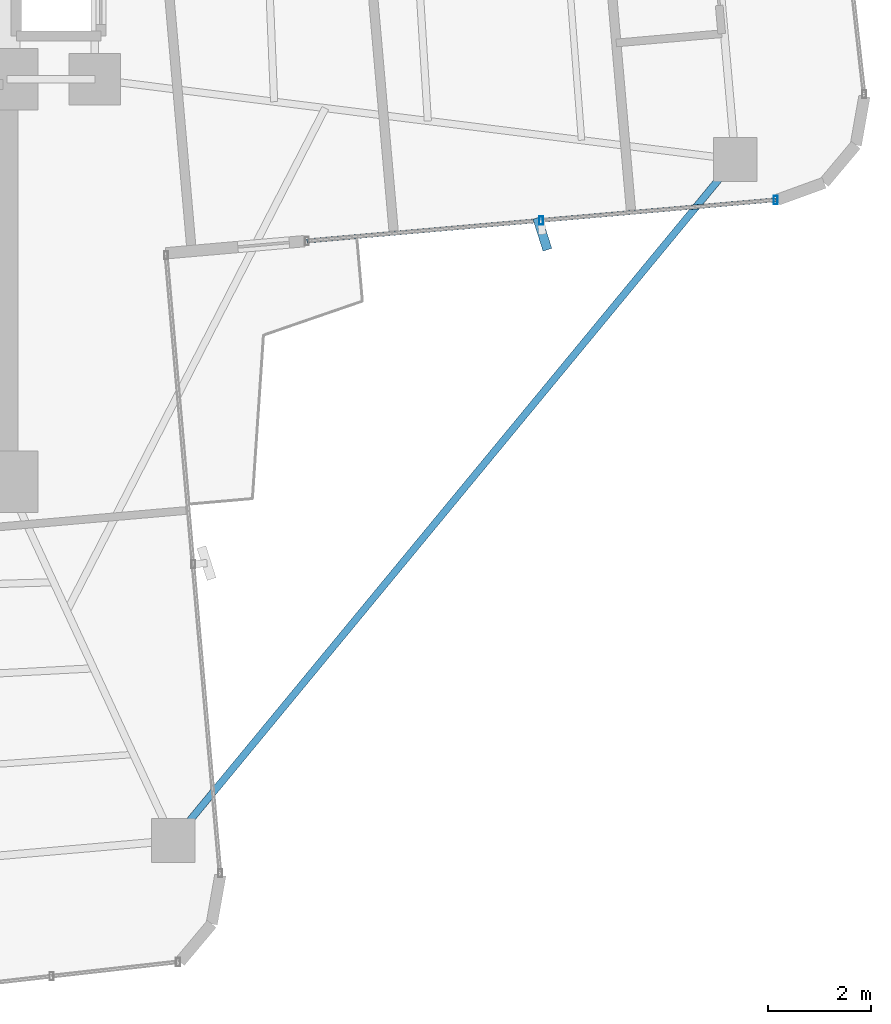
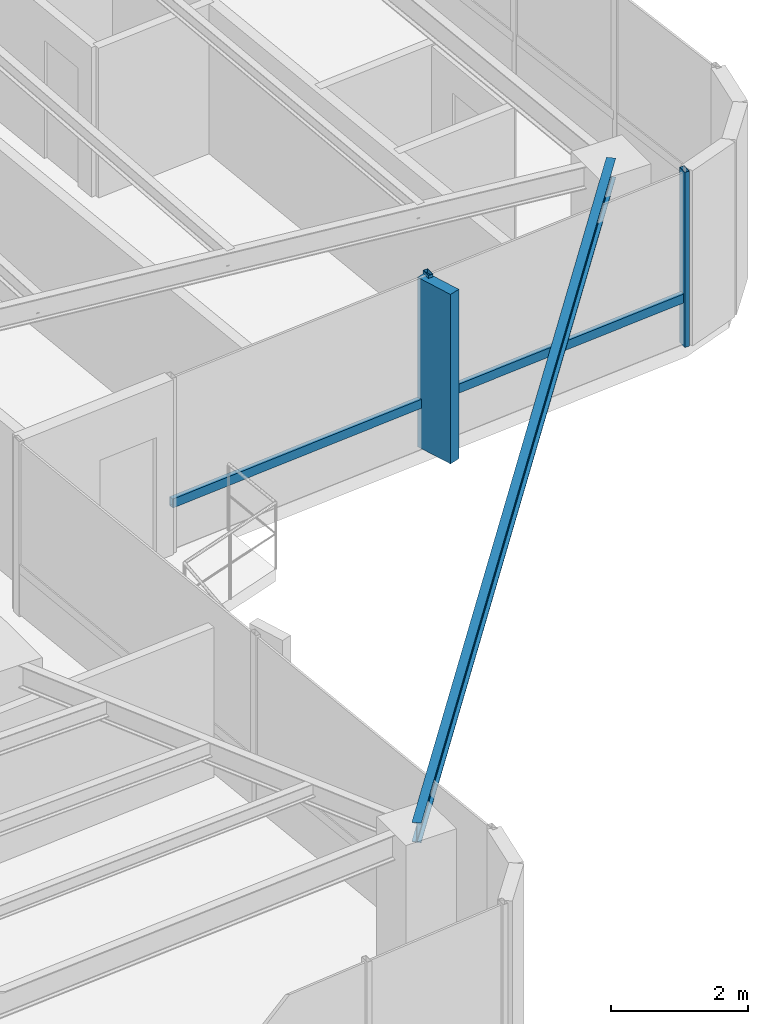
# One storey, part 13 of 24: 5 members, 1 beam, 1 element without a shape of its own.
"""IFC4 building model written with IfcOpenShell, lengths in metres."""

from ifc_helpers import new_model, si_unit, direction, frame, origin, origin_2d, place, context, subcontext, project, spatial, rectangle, hollow_rectangle, i_section, extrude, source, transform, mapped, material, material_profile, profile_set, type_object, element, aggregate, save


model = new_model("IFC4")

# Units and contexts
model_context = context("Model", 3, precision=1e-05, world=origin(), true_north=direction((0.0, 1.0)))
body_context = subcontext(model_context, "Body", "Model", "MODEL_VIEW")
ifc_project = project(units=[si_unit("LENGTHUNIT", "METRE"), si_unit("AREAUNIT", "SQUARE_METRE"), si_unit("VOLUMEUNIT", "CUBIC_METRE"), si_unit("PLANEANGLEUNIT", "RADIAN"), si_unit("MASSUNIT", "GRAM", prefix="KILO")], contexts=[model_context])

# Site, building, storey
site_placement = place(None, origin())
site = spatial("IfcSite", under=ifc_project, at=site_placement, CompositionType="ELEMENT")
building_placement = place(site_placement, origin())
building = spatial("IfcBuilding", under=site, at=building_placement, Name="Sahyath Konkavel Grand Hotel", CompositionType="ELEMENT")
storey_placement = place(building_placement, frame((0.0, 0.0, 153.949951171875)))
storey = spatial("IfcBuildingStorey", under=building, at=storey_placement, Name="L42", CompositionType="ELEMENT", Elevation=153.949951171875)

# Beam
ifc_material_1 = material(Name="Steel E350", Category="steel")
ifc_material_profile_1 = material_profile(ifc_material_1, i_section(OverallWidth=0.139892578125, OverallDepth=0.35009765625, WebThickness=0.008056640625, FlangeThickness=0.01416015625, FilletRadius=0.013916015625, at=origin_2d()), Name="ISMB 350")
ifc_profile_set_1 = profile_set([ifc_material_profile_1], Name="Steel E350")
beam_type = type_object("IfcBeamType", Name="BM-ISMB350", PredefinedType="BEAM", material=ifc_profile_set_1)
shared_shape_1 = source(origin(), body_context, "Body", "SweptSolid", [
    extrude(i_section(OverallWidth=0.139892578125, OverallDepth=0.35009765625, WebThickness=0.008056640625, FlangeThickness=0.01416015625, FilletRadius=0.013916015625, at=origin_2d()), origin(), (0.0, 0.0, 1.0), 17.112548828125),
])
beam_placement = place(storey_placement, frame((17.912841796875, -3.953857421875, 2.93505859375), z_axis=(-0.636437070092, -0.77132863023, 0.0), x_axis=(0.77132863023, -0.636437070092, 0.0)))
element("IfcBeam", 1, at=beam_placement, inside=storey, type_object=beam_type, Name="L42 Re-Entrant Tie Beam SE", PredefinedType="BEAM", context=body_context, shape_type="MappedRepresentation", body=[
    mapped(shared_shape_1, transform((0.0, 0.0, 0.0), scale=1.0)),
])

# Curtain wall, members
ifc_material_2 = material(Name="Anodised Bronze Aluminium & Low-E Glazing", Category="aluminium")
curtain_wall_type = type_object("IfcCurtainWallType", Name="CW-ZONE3", PredefinedType="NOTDEFINED", material=ifc_material_2)
curtain_wall_placement = place(storey_placement, origin())
curtain_wall = element("IfcCurtainWall", 2, at=curtain_wall_placement, inside=storey, type_object=curtain_wall_type, Name="L42 Unitised Curtain Wall F0", PredefinedType="NOTDEFINED")
ifc_material_3 = material(Name="Warm Buff Sandstone Cladding on Concrete C50/60", Category="masonry")
ifc_material_profile_2 = material_profile(ifc_material_3, rectangle(XDim=0.179931640625, YDim=0.64990234375, at=origin_2d()), Name="FIN 180x650")
ifc_profile_set_2 = profile_set([ifc_material_profile_2], Name="Warm Buff Sandstone Cladding on Concrete C50/60")
member_type_1 = type_object("IfcMemberType", Name="FIN-SANDSTONE-650", PredefinedType="MULLION", material=ifc_profile_set_2)
shared_shape_2 = source(origin(), body_context, "Body", "SweptSolid", [
    extrude(rectangle(XDim=0.179931640625, YDim=0.64990234375, at=origin_2d()), origin(), (0.0, 0.0, 1.0), 3.010009765625),
])
member_1_placement = place(storey_placement, frame((14.17431640625, -5.39501953125, 0.050048828125), z_axis=(0.0, 0.0, 1.0), x_axis=(0.953032216634, 0.302868938746, 0.0)))
member_1 = element("IfcMember", 3, at=member_1_placement, type_object=member_type_1, Name="L42 Sandstone Vertical Solar Fin FIN F0-1", PredefinedType="MULLION", context=body_context, shape_type="MappedRepresentation", body=[
    mapped(shared_shape_2, transform((0.0, 0.0, 0.0), scale=1.0)),
])
ifc_material_4 = material(Name="Anodised Bronze Aluminium", Category="aluminium")
ifc_material_profile_3 = material_profile(ifc_material_4, hollow_rectangle(XDim=0.080078125, YDim=0.159912109375, WallThickness=0.006103515625, at=origin_2d()), Name="RHS 160x80x6")
ifc_profile_set_3 = profile_set([ifc_material_profile_3], Name="Anodised Bronze Aluminium")
member_type_2 = type_object("IfcMemberType", Name="CW-MUL-160", PredefinedType="MULLION", material=ifc_profile_set_3)
shared_shape_3 = source(origin(), body_context, "Body", "SweptSolid", [
    extrude(hollow_rectangle(XDim=0.080078125, YDim=0.159912109375, WallThickness=0.006103515625, at=origin_2d()), origin(), (0.0, 0.0, 1.0), 3.110107421875),
])
member_2_placement = place(storey_placement, frame((14.151611328125, -5.135986328125, 0.0), z_axis=(0.0, 0.0, 1.0), x_axis=(1.0, 0.0, 0.0)))
member_2 = element("IfcMember", 4, at=member_2_placement, type_object=member_type_2, Name="L42 Curtain Wall Mullion F0-1", PredefinedType="MULLION", context=body_context, shape_type="MappedRepresentation", body=[
    mapped(shared_shape_3, transform((0.0, 0.0, 0.0), scale=1.0)),
])
member_3_placement = place(storey_placement, frame((18.694091796875, -4.73876953125, 0.0), z_axis=(0.0, 0.0, 1.0), x_axis=(1.0, 0.0, 0.0)))
member_3 = element("IfcMember", 5, at=member_3_placement, type_object=member_type_2, Name="L42 Curtain Wall Mullion F0-2", PredefinedType="MULLION", context=body_context, shape_type="MappedRepresentation", body=[
    mapped(shared_shape_3, transform((0.0, 0.0, 0.0), scale=1.0)),
])
ifc_material_profile_4 = material_profile(ifc_material_4, hollow_rectangle(XDim=0.080078125, YDim=0.159912109375, WallThickness=0.006103515625, at=origin_2d()), Name="RHS 160x80x6")
ifc_profile_set_4 = profile_set([ifc_material_profile_4], Name="Anodised Bronze Aluminium")
member_type_3 = type_object("IfcMemberType", Name="CW-TRN-160", PredefinedType="USERDEFINED", material=ifc_profile_set_4)
shared_shape_4 = source(origin(), body_context, "Body", "SweptSolid", [
    extrude(hollow_rectangle(XDim=0.080078125, YDim=0.159912109375, WallThickness=0.006103515625, at=origin_2d()), origin(), (0.0, 0.0, 1.0), 4.56005859375),
])
member_4_placement = place(storey_placement, frame((9.60888671875, -5.53369140625, 0.85009765625), z_axis=(0.996189590376, 0.087214104516, 0.0), x_axis=(-0.087214104516, 0.996189590376, 0.0)))
member_4 = element("IfcMember", 6, at=member_4_placement, type_object=member_type_3, Name="L42 Curtain Wall Transom F0-0-spandrel", ObjectType="TRANSOM", PredefinedType="USERDEFINED", context=body_context, shape_type="MappedRepresentation", body=[
    mapped(shared_shape_4, transform((0.0, 0.0, 0.0), scale=1.0)),
])
shared_shape_5 = source(origin(), body_context, "Body", "SweptSolid", [
    extrude(hollow_rectangle(XDim=0.080078125, YDim=0.159912109375, WallThickness=0.006103515625, at=origin_2d()), origin(), (0.0, 0.0, 1.0), 4.559814453125),
])
member_5_placement = place(storey_placement, frame((14.151611328125, -5.135986328125, 0.85009765625), z_axis=(0.99619848155, 0.087112486804, 0.0), x_axis=(-0.087112486804, 0.99619848155, 0.0)))
member_5 = element("IfcMember", 7, at=member_5_placement, type_object=member_type_3, Name="L42 Curtain Wall Transom F0-1-spandrel", ObjectType="TRANSOM", PredefinedType="USERDEFINED", context=body_context, shape_type="MappedRepresentation", body=[
    mapped(shared_shape_5, transform((0.0, 0.0, 0.0), scale=1.0)),
])
aggregate(curtain_wall, [member_2, member_1, member_3, member_4, member_5])

save(model, "model.ifc")
